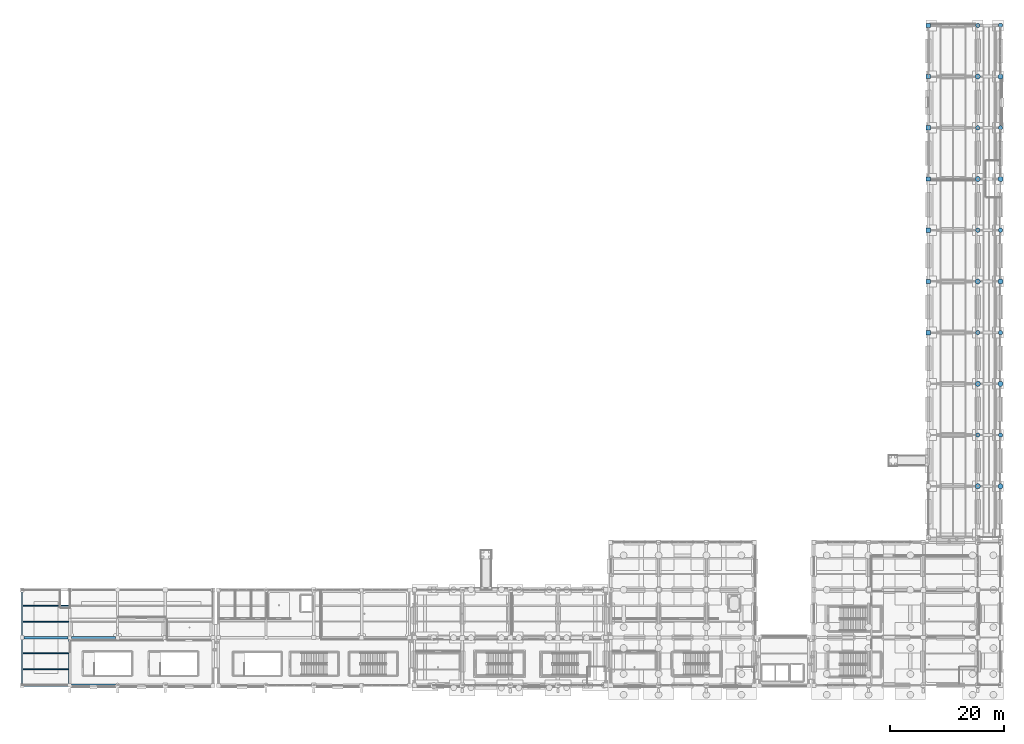
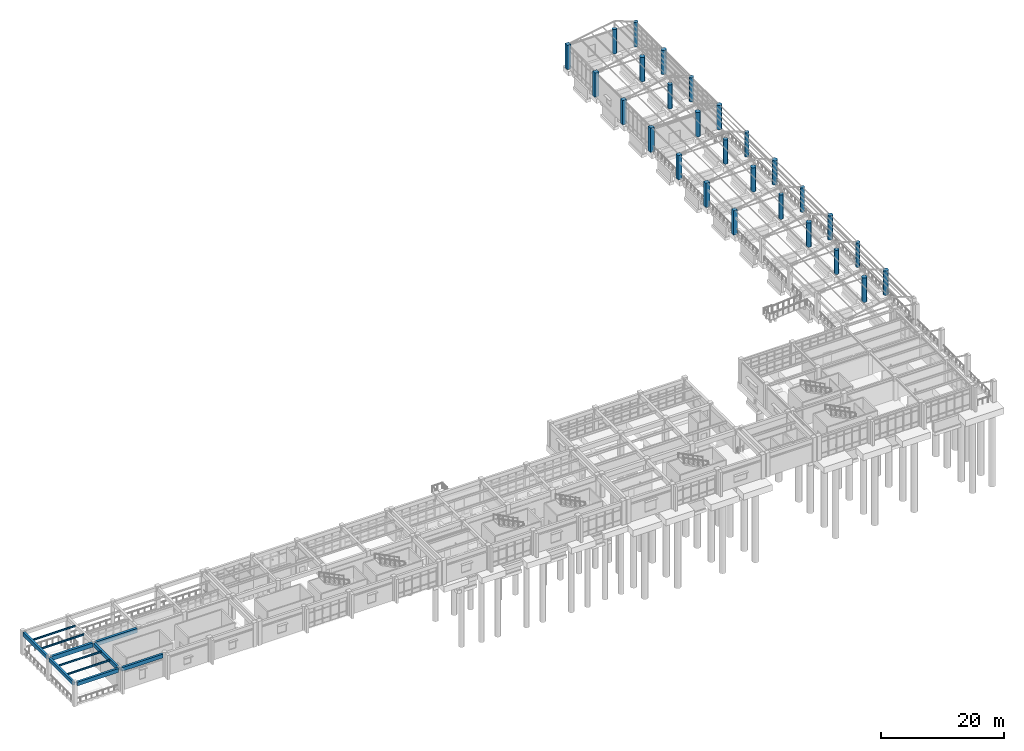
# One storey, part 6 of 111: 27 columns, 11 beams.
"""IFC4 building model written with IfcOpenShell, lengths in metres."""

from ifc_helpers import new_model, si_unit, direction, frame, origin, origin_2d, place, context, subcontext, project, spatial, rectangle, circle, i_section, extrude, material, material_profile, profile_set, type_object, element, save


model = new_model("IFC4")

# Units and contexts
model_context = context("Model", 3, precision=1e-05, world=origin(), true_north=direction((0.0, 1.0)))
body_context = subcontext(model_context, "Body", "Model", "MODEL_VIEW")
ifc_project = project(units=[si_unit("LENGTHUNIT", "METRE"), si_unit("AREAUNIT", "SQUARE_METRE"), si_unit("VOLUMEUNIT", "CUBIC_METRE"), si_unit("PLANEANGLEUNIT", "RADIAN"), si_unit("MASSUNIT", "GRAM", prefix="KILO")], contexts=[model_context])

# Site, building, storey
site_placement = place(None, origin())
site = spatial("IfcSite", under=ifc_project, at=site_placement, CompositionType="ELEMENT")
building_placement = place(site_placement, origin())
building = spatial("IfcBuilding", under=site, at=building_placement, Name="Canglan Escarpment Cableway Terminal", CompositionType="ELEMENT")
storey_placement = place(building_placement, frame((0.0, 0.0, 4.800048828125)))
storey = spatial("IfcBuildingStorey", under=building, at=storey_placement, Name="L01", CompositionType="ELEMENT", Elevation=4.800048828125)

# Columns
ifc_material_1 = material(Name="Concrete C40", Category="concrete")
ifc_material_profile_1 = material_profile(ifc_material_1, rectangle(XDim=0.75, YDim=0.75, at=origin_2d()), Name="RC 750x750")
ifc_profile_set_1 = profile_set([ifc_material_profile_1], Name="Concrete C40")
column_type_1 = type_object("IfcColumnType", Name="COL-RC750-C40", PredefinedType="COLUMN", material=ifc_profile_set_1)
for number, where, z_axis, x_axis, name in (
    (1, (167.300048828125, 70.0, 0.0), (0.0, 0.0, 1.0), (1.0, 0.0, 0.0), "Structural column C-03"),
    (2, (167.300048828125, 79.0, 0.0), (0.0, 0.0, 1.0), (1.0, 0.0, 0.0), "Structural column C-03"),
    (3, (167.300048828125, 88.0, 0.0), (0.0, 0.0, 1.0), (1.0, 0.0, 0.0), "Structural column C-03"),
    (4, (167.300048828125, 97.0, 0.0), (0.0, 0.0, 1.0), (1.0, 0.0, 0.0), "Structural column C-03"),
    (5, (167.300048828125, 106.0, 0.0), (0.0, 0.0, 1.0), (1.0, 0.0, 0.0), "Structural column C-03"),
    (6, (167.300048828125, 115.0, 0.0), (0.0, 0.0, 1.0), (1.0, 0.0, 0.0), "Structural column C-03"),
    (7, (167.300048828125, 124.0, 0.0), (0.0, 0.0, 1.0), (1.0, 0.0, 0.0), "Structural column C-03"),
):
    element("IfcColumn", number, at=place(storey_placement, frame(where, z_axis=z_axis, x_axis=x_axis)), inside=storey, type_object=column_type_1, Name=name, PredefinedType="COLUMN", context=body_context, shape_type="SweptSolid", body=[
        extrude(rectangle(XDim=0.75, YDim=0.75, at=origin_2d()), origin(), (0.0, 0.0, 1.0), 4.800048828125),
    ])
ifc_material_profile_2 = material_profile(ifc_material_1, circle(Radius=0.375, at=origin_2d()), Name="RC-CIRC D750")
ifc_profile_set_2 = profile_set([ifc_material_profile_2], Name="Concrete C40")
column_type_2 = type_object("IfcColumnType", Name="COL-RCC750-C40", PredefinedType="COLUMN", material=ifc_profile_set_2)
for number, where, z_axis, x_axis, name in (
    (8, (176.0, 52.0, 0.0), (0.0, 0.0, 1.0), (1.0, 0.0, 0.0), "Structural column C-07"),
    (9, (176.0, 70.0, 0.0), (0.0, 0.0, 1.0), (1.0, 0.0, 0.0), "Structural column C-07"),
    (10, (176.0, 88.0, 0.0), (0.0, 0.0, 1.0), (1.0, 0.0, 0.0), "Structural column C-07"),
    (11, (176.0, 106.0, 0.0), (0.0, 0.0, 1.0), (1.0, 0.0, 0.0), "Structural column C-07"),
    (12, (176.0, 124.0, 0.0), (0.0, 0.0, 1.0), (1.0, 0.0, 0.0), "Structural column C-07"),
    (13, (180.0, 52.0, 0.0), (0.0, 0.0, 1.0), (1.0, 0.0, 0.0), "Structural column C-07"),
    (14, (180.0, 70.0, 0.0), (0.0, 0.0, 1.0), (1.0, 0.0, 0.0), "Structural column C-07"),
    (15, (180.0, 88.0, 0.0), (0.0, 0.0, 1.0), (1.0, 0.0, 0.0), "Structural column C-07"),
    (16, (180.0, 106.0, 0.0), (0.0, 0.0, 1.0), (1.0, 0.0, 0.0), "Structural column C-07"),
    (17, (180.0, 124.0, 0.0), (0.0, 0.0, 1.0), (1.0, 0.0, 0.0), "Structural column C-07"),
):
    element("IfcColumn", number, at=place(storey_placement, frame(where, z_axis=z_axis, x_axis=x_axis)), inside=storey, type_object=column_type_2, Name=name, PredefinedType="COLUMN", context=body_context, shape_type="SweptSolid", body=[
        extrude(circle(Radius=0.375, at=origin_2d()), origin(), (0.0, 0.0, 1.0), 4.800048828125),
    ])
ifc_material_2 = material(Name="Concrete C50", Category="concrete")
ifc_material_profile_3 = material_profile(ifc_material_2, circle(Radius=0.449951171875, at=origin_2d()), Name="RC-CIRC D900")
ifc_profile_set_3 = profile_set([ifc_material_profile_3], Name="Concrete C50")
column_type_3 = type_object("IfcColumnType", Name="COL-RCC900-C50", PredefinedType="COLUMN", material=ifc_profile_set_3)
for number, where, z_axis, x_axis, name in (
    (18, (176.0, 43.0, 0.0), (0.0, 0.0, 1.0), (1.0, 0.0, 0.0), "Structural column C-06"),
    (19, (176.0, 61.0, 0.0), (0.0, 0.0, 1.0), (1.0, 0.0, 0.0), "Structural column C-06"),
    (20, (176.0, 79.0, 0.0), (0.0, 0.0, 1.0), (1.0, 0.0, 0.0), "Structural column C-06"),
    (21, (176.0, 97.0, 0.0), (0.0, 0.0, 1.0), (1.0, 0.0, 0.0), "Structural column C-06"),
    (22, (176.0, 115.0, 0.0), (0.0, 0.0, 1.0), (1.0, 0.0, 0.0), "Structural column C-06"),
    (23, (180.0, 43.0, 0.0), (0.0, 0.0, 1.0), (1.0, 0.0, 0.0), "Structural column C-06"),
    (24, (180.0, 61.0, 0.0), (0.0, 0.0, 1.0), (1.0, 0.0, 0.0), "Structural column C-06"),
    (25, (180.0, 79.0, 0.0), (0.0, 0.0, 1.0), (1.0, 0.0, 0.0), "Structural column C-06"),
    (26, (180.0, 97.0, 0.0), (0.0, 0.0, 1.0), (1.0, 0.0, 0.0), "Structural column C-06"),
    (27, (180.0, 115.0, 0.0), (0.0, 0.0, 1.0), (1.0, 0.0, 0.0), "Structural column C-06"),
):
    element("IfcColumn", number, at=place(storey_placement, frame(where, z_axis=z_axis, x_axis=x_axis)), inside=storey, type_object=column_type_3, Name=name, PredefinedType="COLUMN", context=body_context, shape_type="SweptSolid", body=[
        extrude(circle(Radius=0.449951171875, at=origin_2d()), origin(), (0.0, 0.0, 1.0), 4.800048828125),
    ])

# Beams
ifc_material_profile_4 = material_profile(ifc_material_1, rectangle(XDim=0.39990234375, YDim=0.75, at=origin_2d()), Name="RC 400x750")
ifc_profile_set_4 = profile_set([ifc_material_profile_4], Name="Concrete C40")
beam_type_1 = type_object("IfcBeamType", Name="BM-RC400x750", PredefinedType="BEAM", material=ifc_profile_set_4)
for number, where, z_axis, x_axis, name in (
    (28, (8.0, 8.35009765625, 4.175048828125), (0.0, 1.0, 0.0), (-1.0, 0.0, 0.0), "Primary transverse girder B-03"),
    (29, (8.0, 16.75, 4.175048828125), (0.0, 1.0, 0.0), (-1.0, 0.0, 0.0), "Primary transverse girder B-03"),
):
    element("IfcBeam", number, at=place(storey_placement, frame(where, z_axis=z_axis, x_axis=x_axis)), inside=storey, type_object=beam_type_1, Name=name, PredefinedType="BEAM", context=body_context, shape_type="SweptSolid", body=[
        extrude(rectangle(XDim=0.39990234375, YDim=0.75, at=origin_2d()), origin(), (0.0, 0.0, 1.0), 7.699951171875),
    ])
beam_1_placement = place(storey_placement, frame((16.39990234375, 8.300048828125, 4.135009765625), z_axis=(0.0, 1.0, 0.0), x_axis=(-1.0, 0.0, 0.0)))
element("IfcBeam", 30, at=beam_1_placement, inside=storey, type_object=beam_type_1, Name="Primary transverse girder B-03", PredefinedType="BEAM", context=body_context, shape_type="SweptSolid", body=[
    extrude(rectangle(XDim=0.39990234375, YDim=0.75, at=origin_2d()), origin(), (0.0, 0.0, 1.0), 7.800048828125),
])
ifc_material_profile_5 = material_profile(ifc_material_1, rectangle(XDim=0.449951171875, YDim=0.85009765625, at=origin_2d()), Name="RC 450x850")
ifc_profile_set_5 = profile_set([ifc_material_profile_5], Name="Concrete C40")
beam_type_2 = type_object("IfcBeamType", Name="BM-RC450x850", PredefinedType="BEAM", material=ifc_profile_set_5)
beam_2_placement = place(storey_placement, frame((8.35009765625, 16.39990234375, 4.125), z_axis=(1.0, 0.0, 0.0), x_axis=(0.0, 1.0, 0.0)))
element("IfcBeam", 31, at=beam_2_placement, inside=storey, type_object=beam_type_2, Name="Primary structural girder B-02", PredefinedType="BEAM", context=body_context, shape_type="SweptSolid", body=[
    extrude(rectangle(XDim=0.449951171875, YDim=0.85009765625, at=origin_2d()), origin(), (0.0, 0.0, 1.0), 7.75),
])
beam_3_placement = place(storey_placement, frame((16.699951171875, 16.39990234375, 4.0849609375), z_axis=(1.0, 0.0, 0.0), x_axis=(0.0, 1.0, 0.0)))
element("IfcBeam", 32, at=beam_3_placement, inside=storey, type_object=beam_type_2, Name="Primary structural girder B-02", PredefinedType="BEAM", context=body_context, shape_type="SweptSolid", body=[
    extrude(rectangle(XDim=0.449951171875, YDim=0.85009765625, at=origin_2d()), origin(), (0.0, 0.0, 1.0), 7.72509765625),
])
ifc_material_3 = material(Name="Steel Q355B", Category="steel")
ifc_material_profile_6 = material_profile(ifc_material_3, i_section(OverallWidth=0.175048828125, OverallDepth=0.35009765625, WebThickness=0.007080078125, FlangeThickness=0.010986328125, FilletRadius=0.013916015625, at=origin_2d()), Name="HN 350x175x7x11")
ifc_profile_set_6 = profile_set([ifc_material_profile_6], Name="Steel Q355B")
beam_type_3 = type_object("IfcBeamType", Name="JS-HN350", PredefinedType="JOIST", material=ifc_profile_set_6)
for number, where, z_axis, x_axis, name in (
    (33, (8.199951171875, 10.800048828125, 4.375), (1.0, 0.0, 0.0), (0.0, 1.0, 0.0), "Secondary composite deck joist J-04"),
    (34, (8.199951171875, 13.60009765625, 4.375), (1.0, 0.0, 0.0), (0.0, 1.0, 0.0), "Secondary composite deck joist J-04"),
    (35, (8.199951171875, 19.199951171875, 4.375), (1.0, 0.0, 0.0), (0.0, 1.0, 0.0), "Secondary composite deck joist J-04"),
    (36, (8.199951171875, 22.0, 4.375), (1.0, 0.0, 0.0), (0.0, 1.0, 0.0), "Secondary composite deck joist J-04"),
):
    element("IfcBeam", number, at=place(storey_placement, frame(where, z_axis=z_axis, x_axis=x_axis)), inside=storey, type_object=beam_type_3, Name=name, PredefinedType="JOIST", context=body_context, shape_type="SweptSolid", body=[
        extrude(i_section(OverallWidth=0.175048828125, OverallDepth=0.35009765625, WebThickness=0.007080078125, FlangeThickness=0.010986328125, FilletRadius=0.013916015625, at=origin_2d()), origin(), (0.0, 0.0, 1.0), 8.0),
    ])
ifc_material_profile_7 = material_profile(ifc_material_1, rectangle(XDim=0.39990234375, YDim=0.75, at=origin_2d()), Name="RC 400x750")
ifc_profile_set_7 = profile_set([ifc_material_profile_7], Name="Concrete C40")
beam_type_4 = type_object("IfcBeamType", Name="SP-RC400x750", PredefinedType="SPANDREL", material=ifc_profile_set_7)
beam_4_placement = place(storey_placement, frame((8.35009765625, 8.0, 4.175048828125), z_axis=(1.0, 0.0, 0.0), x_axis=(0.0, 1.0, 0.0)))
element("IfcBeam", 37, at=beam_4_placement, inside=storey, type_object=beam_type_4, Name="Primary structural girder SP-01", PredefinedType="SPANDREL", context=body_context, shape_type="SweptSolid", body=[
    extrude(rectangle(XDim=0.39990234375, YDim=0.75, at=origin_2d()), origin(), (0.0, 0.0, 1.0), 7.75),
])
beam_5_placement = place(storey_placement, frame((16.699951171875, 8.0, 4.135009765625), z_axis=(1.0, 0.0, 0.0), x_axis=(0.0, 1.0, 0.0)))
element("IfcBeam", 38, at=beam_5_placement, inside=storey, type_object=beam_type_4, Name="Primary structural girder SP-01", PredefinedType="SPANDREL", context=body_context, shape_type="SweptSolid", body=[
    extrude(rectangle(XDim=0.39990234375, YDim=0.75, at=origin_2d()), origin(), (0.0, 0.0, 1.0), 7.72509765625),
])

save(model, "model.ifc")
